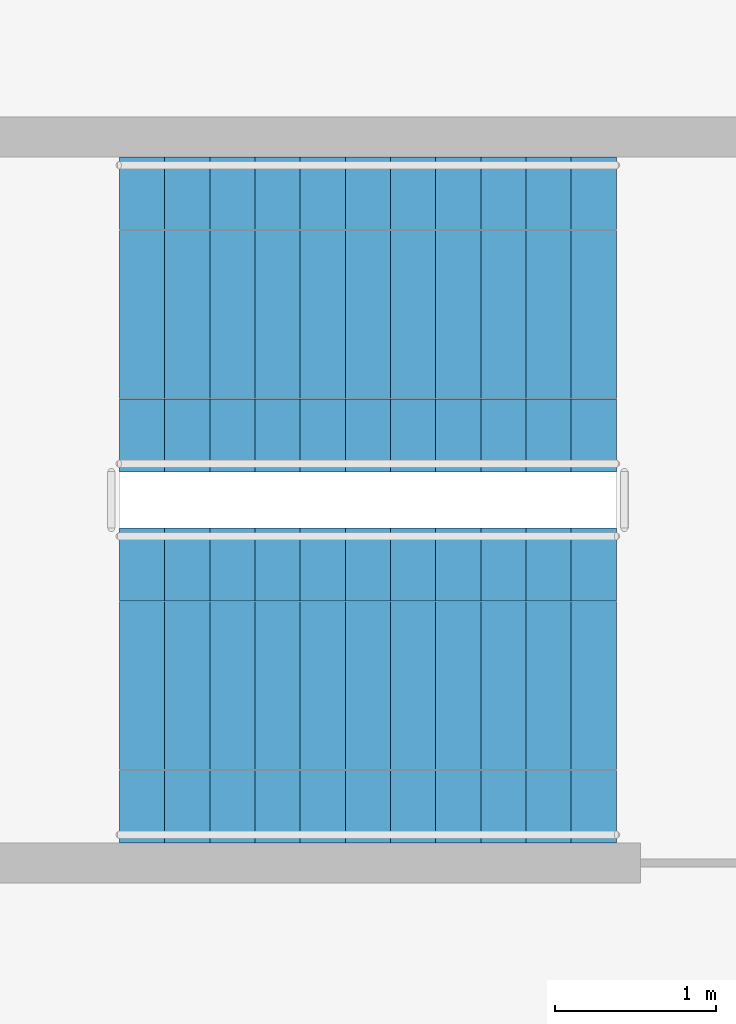
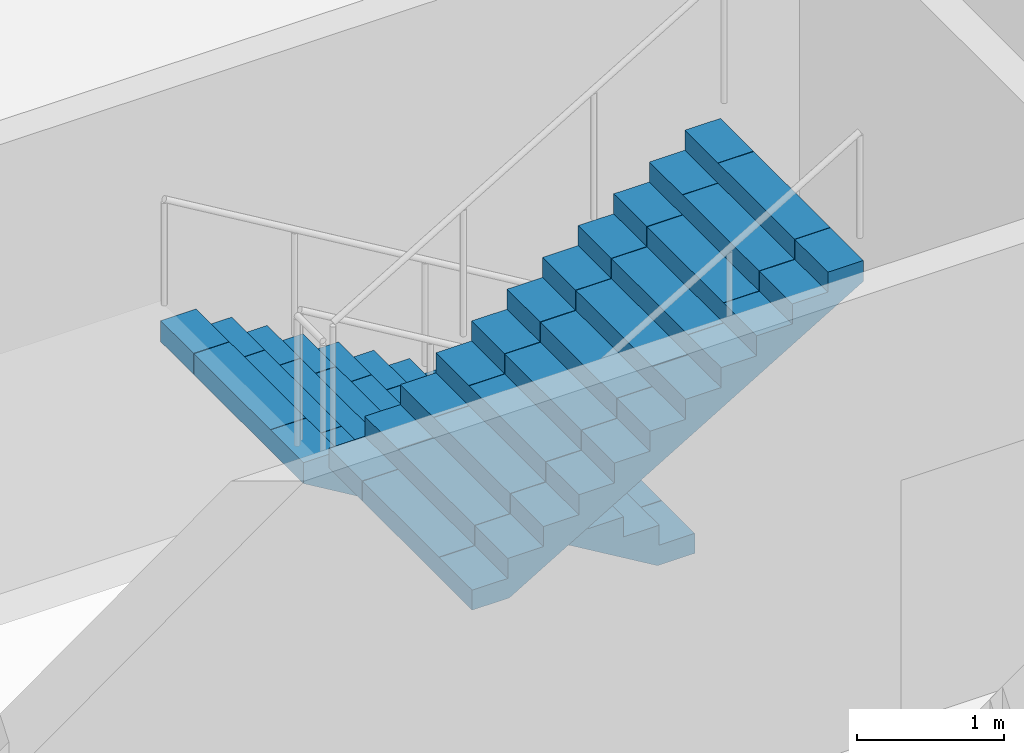
# One storey, part 12 of 13: 2 stair flights, 1 element without a shape of its own.
"""IFC4 building model written with IfcOpenShell, lengths in metres."""

from ifc_helpers import new_model, si_unit, direction, frame, origin, place, context, subcontext, project, spatial, polyline, outline, extrude, material, type_object, element, aggregate, save


model = new_model("IFC4")

# Units and contexts
model_context = context("Model", 3, precision=1e-05, world=origin(), true_north=direction((0.0, 1.0)))
body_context = subcontext(model_context, "Body", "Model", "MODEL_VIEW")
ifc_project = project(units=[si_unit("LENGTHUNIT", "METRE"), si_unit("AREAUNIT", "SQUARE_METRE"), si_unit("VOLUMEUNIT", "CUBIC_METRE"), si_unit("PLANEANGLEUNIT", "RADIAN"), si_unit("MASSUNIT", "GRAM", prefix="KILO")], contexts=[model_context])

# Site, building, storey
site_placement = place(None, origin())
site = spatial("IfcSite", under=ifc_project, at=site_placement, CompositionType="ELEMENT")
building_placement = place(site_placement, origin())
building = spatial("IfcBuilding", under=site, at=building_placement, Name="Corbelhall Arena Tower", CompositionType="ELEMENT")
storey_placement = place(building_placement, frame((0.0, 0.0, 338.0)))
storey = spatial("IfcBuildingStorey", under=building, at=storey_placement, Name="L74", CompositionType="ELEMENT", Elevation=338.0)

# Stair, stair flights
ifc_material = material(Name="Concrete C40/50", Category="concrete")
stair_type = type_object("IfcStairType", Name="IN-ST-TOWER", PredefinedType="HALF_TURN_STAIR", material=ifc_material)
stair_placement = place(storey_placement, origin())
stair = element("IfcStair", 1, at=stair_placement, inside=storey, type_object=stair_type, Name="L74 Exit stair ST3", PredefinedType="HALF_TURN_STAIR")
stair_flight_type = type_object("IfcStairFlightType", Name="IN-SFL-RC", PredefinedType="STRAIGHT", material=ifc_material)
stair_flight_1_placement = place(storey_placement, frame((11.425048828125, 15.699951171875, 0.0), z_axis=(0.0, 0.0, 1.0), x_axis=(-1.0, 0.0, 0.0)))
stair_flight_1 = element("IfcStairFlight", 2, at=stair_flight_1_placement, type_object=stair_flight_type, Name="ST3 flight 1", NumberOfRisers=12, NumberOfTreads=11, PredefinedType="STRAIGHT", RiserHeight=0.166666667, TreadLength=0.28, context=body_context, shape_type="SweptSolid", body=[
    extrude(outline(polyline([(0.0, 0.0), (0.0, 0.166748046875), (0.280029296875, 0.166748046875), (0.280029296875, 0.333251953125), (0.56005859375, 0.333251953125), (0.56005859375, 0.5), (0.840087890625, 0.5), (0.840087890625, 0.666748046875), (1.1201171875, 0.666748046875), (1.1201171875, 0.833251953125), (1.39990234375, 0.833251953125), (1.39990234375, 1.0), (1.679931640625, 1.0), (1.679931640625, 1.166748046875), (1.9599609375, 1.166748046875), (1.9599609375, 1.333251953125), (2.239990234375, 1.333251953125), (2.239990234375, 1.5), (2.52001953125, 1.5), (2.52001953125, 1.666748046875), (2.800048828125, 1.666748046875), (2.800048828125, 1.833251953125), (3.080078125, 1.833251953125), (3.080078125, 2.0), (3.080078125, 1.658935546875), (0.29296875, 0.0), (0.0, 0.0)])), frame((0.0, 0.97509765625, 0.0), z_axis=(0.0, -1.0, 0.0), x_axis=(1.0, 0.0, 0.0)), (0.0, 0.0, 1.0), 0.449951171875),
    extrude(outline(polyline([(0.0, 0.0), (0.0, 0.166748046875), (0.280029296875, 0.166748046875), (0.280029296875, 0.333251953125), (0.56005859375, 0.333251953125), (0.56005859375, 0.5), (0.840087890625, 0.5), (0.840087890625, 0.666748046875), (1.1201171875, 0.666748046875), (1.1201171875, 0.833251953125), (1.39990234375, 0.833251953125), (1.39990234375, 1.0), (1.679931640625, 1.0), (1.679931640625, 1.166748046875), (1.9599609375, 1.166748046875), (1.9599609375, 1.333251953125), (2.239990234375, 1.333251953125), (2.239990234375, 1.5), (2.52001953125, 1.5), (2.52001953125, 1.666748046875), (2.800048828125, 1.666748046875), (2.800048828125, 1.833251953125), (3.080078125, 1.833251953125), (3.080078125, 2.0), (3.080078125, 1.658935546875), (0.29296875, 0.0), (0.0, 0.0)])), frame((0.0, 0.52099609375, 0.0), z_axis=(0.0, -1.0, 0.0), x_axis=(1.0, 0.0, 0.0)), (0.0, 0.0, 1.0), 1.0419921875),
    extrude(outline(polyline([(0.0, 0.0), (0.0, 0.166748046875), (0.280029296875, 0.166748046875), (0.280029296875, 0.333251953125), (0.56005859375, 0.333251953125), (0.56005859375, 0.5), (0.840087890625, 0.5), (0.840087890625, 0.666748046875), (1.1201171875, 0.666748046875), (1.1201171875, 0.833251953125), (1.39990234375, 0.833251953125), (1.39990234375, 1.0), (1.679931640625, 1.0), (1.679931640625, 1.166748046875), (1.9599609375, 1.166748046875), (1.9599609375, 1.333251953125), (2.239990234375, 1.333251953125), (2.239990234375, 1.5), (2.52001953125, 1.5), (2.52001953125, 1.666748046875), (2.800048828125, 1.666748046875), (2.800048828125, 1.833251953125), (3.080078125, 1.833251953125), (3.080078125, 2.0), (3.080078125, 1.658935546875), (0.29296875, 0.0), (0.0, 0.0)])), frame((0.0, -0.52490234375, 0.0), z_axis=(0.0, -1.0, 0.0), x_axis=(1.0, 0.0, 0.0)), (0.0, 0.0, 1.0), 0.449951171875),
])
stair_flight_2_placement = place(storey_placement, frame((8.344970703125, 13.39990234375, 2.0), z_axis=(0.0, 0.0, 1.0), x_axis=(1.0, 0.0, 0.0)))
stair_flight_2 = element("IfcStairFlight", 3, at=stair_flight_2_placement, type_object=stair_flight_type, Name="ST3 flight 2", NumberOfRisers=12, NumberOfTreads=11, PredefinedType="STRAIGHT", RiserHeight=0.166666667, TreadLength=0.28, context=body_context, shape_type="SweptSolid", body=[
    extrude(outline(polyline([(0.0, 0.0), (0.0, 0.166748046875), (0.280029296875, 0.166748046875), (0.280029296875, 0.333251953125), (0.56005859375, 0.333251953125), (0.56005859375, 0.5), (0.840087890625, 0.5), (0.840087890625, 0.666748046875), (1.1201171875, 0.666748046875), (1.1201171875, 0.833251953125), (1.39990234375, 0.833251953125), (1.39990234375, 1.0), (1.679931640625, 1.0), (1.679931640625, 1.166748046875), (1.9599609375, 1.166748046875), (1.9599609375, 1.333251953125), (2.239990234375, 1.333251953125), (2.239990234375, 1.5), (2.52001953125, 1.5), (2.52001953125, 1.666748046875), (2.800048828125, 1.666748046875), (2.800048828125, 1.833251953125), (3.080078125, 1.833251953125), (3.080078125, 2.0), (3.080078125, 1.658935546875), (0.29296875, 0.0), (0.0, 0.0)])), frame((0.0, 0.97509765625, 0.0), z_axis=(0.0, -1.0, 0.0), x_axis=(1.0, 0.0, 0.0)), (0.0, 0.0, 1.0), 0.449951171875),
    extrude(outline(polyline([(0.0, 0.0), (0.0, 0.166748046875), (0.280029296875, 0.166748046875), (0.280029296875, 0.333251953125), (0.56005859375, 0.333251953125), (0.56005859375, 0.5), (0.840087890625, 0.5), (0.840087890625, 0.666748046875), (1.1201171875, 0.666748046875), (1.1201171875, 0.833251953125), (1.39990234375, 0.833251953125), (1.39990234375, 1.0), (1.679931640625, 1.0), (1.679931640625, 1.166748046875), (1.9599609375, 1.166748046875), (1.9599609375, 1.333251953125), (2.239990234375, 1.333251953125), (2.239990234375, 1.5), (2.52001953125, 1.5), (2.52001953125, 1.666748046875), (2.800048828125, 1.666748046875), (2.800048828125, 1.833251953125), (3.080078125, 1.833251953125), (3.080078125, 2.0), (3.080078125, 1.658935546875), (0.29296875, 0.0), (0.0, 0.0)])), frame((0.0, 0.52099609375, 0.0), z_axis=(0.0, -1.0, 0.0), x_axis=(1.0, 0.0, 0.0)), (0.0, 0.0, 1.0), 1.0419921875),
    extrude(outline(polyline([(0.0, 0.0), (0.0, 0.166748046875), (0.280029296875, 0.166748046875), (0.280029296875, 0.333251953125), (0.56005859375, 0.333251953125), (0.56005859375, 0.5), (0.840087890625, 0.5), (0.840087890625, 0.666748046875), (1.1201171875, 0.666748046875), (1.1201171875, 0.833251953125), (1.39990234375, 0.833251953125), (1.39990234375, 1.0), (1.679931640625, 1.0), (1.679931640625, 1.166748046875), (1.9599609375, 1.166748046875), (1.9599609375, 1.333251953125), (2.239990234375, 1.333251953125), (2.239990234375, 1.5), (2.52001953125, 1.5), (2.52001953125, 1.666748046875), (2.800048828125, 1.666748046875), (2.800048828125, 1.833251953125), (3.080078125, 1.833251953125), (3.080078125, 2.0), (3.080078125, 1.658935546875), (0.29296875, 0.0), (0.0, 0.0)])), frame((0.0, -0.52490234375, 0.0), z_axis=(0.0, -1.0, 0.0), x_axis=(1.0, 0.0, 0.0)), (0.0, 0.0, 1.0), 0.449951171875),
])
aggregate(stair, [stair_flight_1, stair_flight_2])

save(model, "model.ifc")
